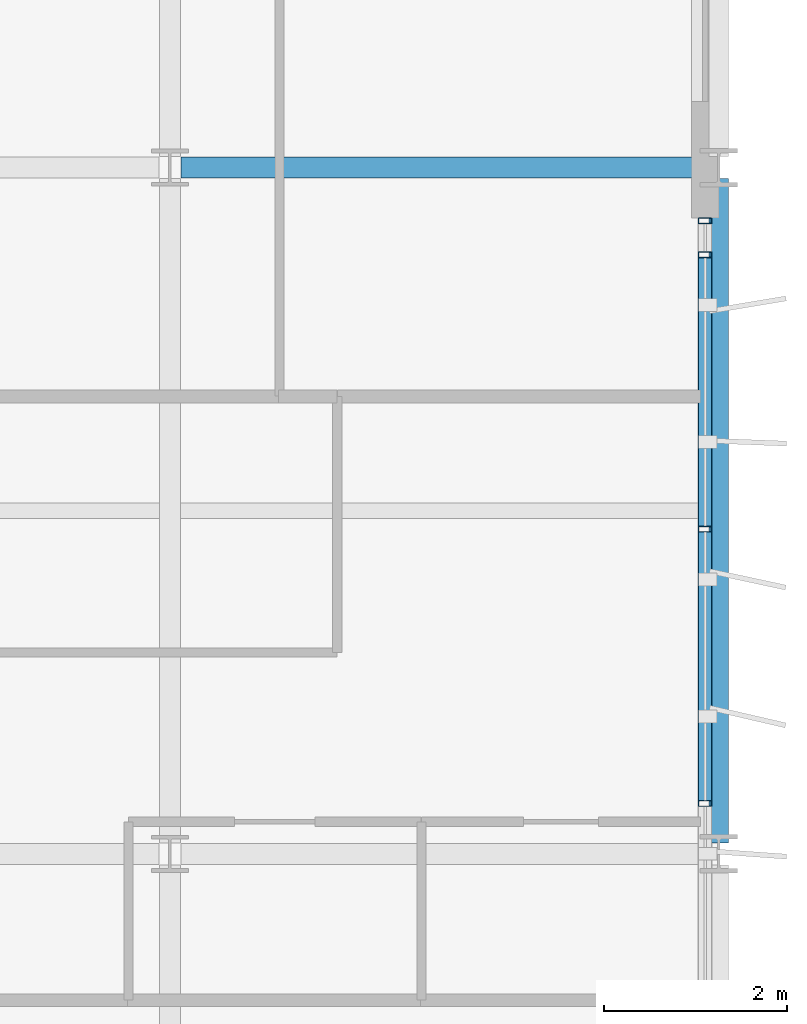
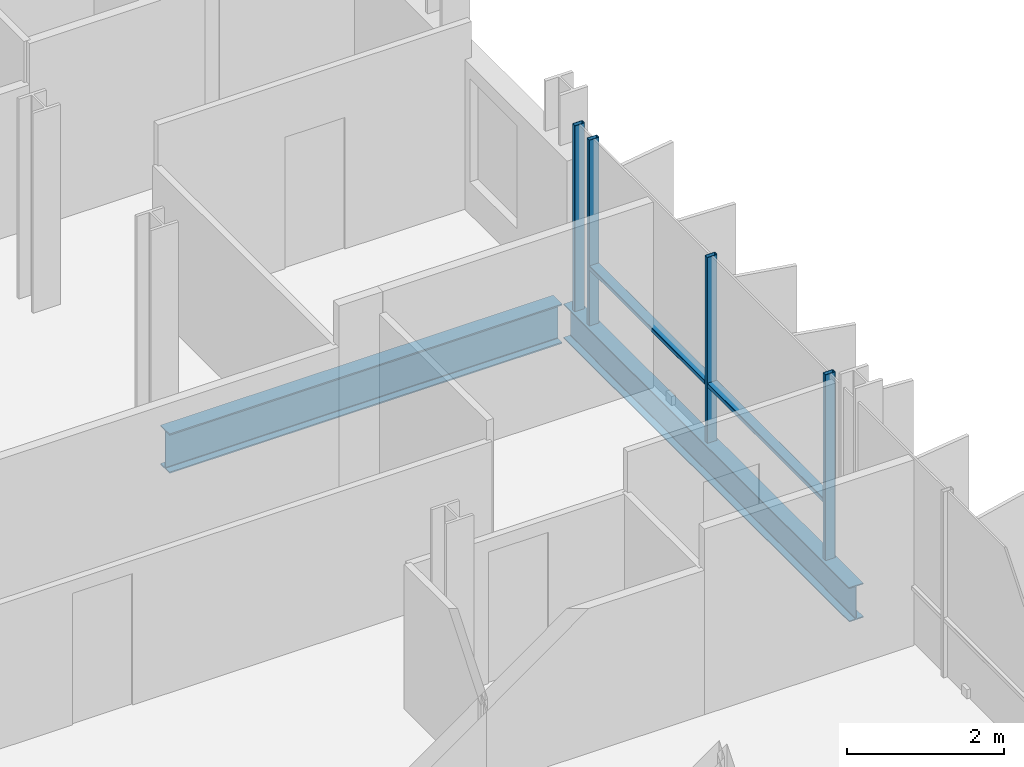
# One storey, part 21 of 39: 6 members, 2 beams, 1 element without a shape of its own.
"""IFC4 building model written with IfcOpenShell, lengths in metres."""

from ifc_helpers import new_model, si_unit, direction, frame, origin, origin_2d, place, context, subcontext, project, spatial, hollow_rectangle, i_section, extrude, material, layer, layer_set, material_profile, profile_set, type_object, element, aggregate, save


model = new_model("IFC4")

# Units and contexts
model_context = context("Model", 3, precision=1e-05, world=origin(), true_north=direction((0.0, 1.0)))
body_context = subcontext(model_context, "Body", "Model", "MODEL_VIEW")
ifc_project = project(units=[si_unit("LENGTHUNIT", "METRE"), si_unit("AREAUNIT", "SQUARE_METRE"), si_unit("VOLUMEUNIT", "CUBIC_METRE"), si_unit("PLANEANGLEUNIT", "RADIAN"), si_unit("MASSUNIT", "GRAM", prefix="KILO")], contexts=[model_context])

# Site, building, storey
site_placement = place(None, origin())
site = spatial("IfcSite", under=ifc_project, at=site_placement, CompositionType="ELEMENT")
building_placement = place(site_placement, origin())
building = spatial("IfcBuilding", under=site, at=building_placement, Name="Brevholm Reach", CompositionType="ELEMENT")
storey_placement = place(building_placement, frame((0.0, 0.0, 154.199951171875)))
storey = spatial("IfcBuildingStorey", under=building, at=storey_placement, Name="L46", CompositionType="ELEMENT", Elevation=154.199951171875)

# Beams
ifc_material_1 = material(Name="Structural Steel S355J2", Category="steel")
ifc_material_profile_1 = material_profile(ifc_material_1, i_section(OverallWidth=0.209228515625, OverallDepth=0.533203125, WebThickness=0.010009765625, FlangeThickness=0.015625, FilletRadius=0.0126953125, at=origin_2d()), Name="UKB 533x210x92")
ifc_profile_set_1 = profile_set([ifc_material_profile_1], Name="Structural Steel S355J2")
beam_type_1 = type_object("IfcBeamType", Name="BM-SP533", PredefinedType="SPANDREL", material=ifc_profile_set_1)
beam_1_placement = place(storey_placement, frame((60.0, 16.1201171875, -0.486572265625), z_axis=(0.0, 1.0, 0.0), x_axis=(-1.0, 0.0, 0.0)))
element("IfcBeam", 1, at=beam_1_placement, inside=storey, type_object=beam_type_1, Name="L46 SP-02 Framing Beam", PredefinedType="SPANDREL", context=body_context, shape_type="SweptSolid", body=[
    extrude(i_section(OverallWidth=0.209228515625, OverallDepth=0.533203125, WebThickness=0.010009765625, FlangeThickness=0.015625, FilletRadius=0.0126953125, at=origin_2d()), origin(), (0.0, 0.0, 1.0), 7.259765625),
])
ifc_material_2 = material(Name="Structural Steel S355J2", Category="steel")
ifc_material_profile_2 = material_profile(ifc_material_2, i_section(OverallWidth=0.22900390625, OverallDepth=0.6123046875, WebThickness=0.011962890625, FlangeThickness=0.01953125, FilletRadius=0.0126953125, at=origin_2d()), Name="UKB 610x229x125")
ifc_profile_set_2 = profile_set([ifc_material_profile_2], Name="Structural Steel S355J2")
beam_type_2 = type_object("IfcBeamType", Name="BM-SP610", PredefinedType="SPANDREL", material=ifc_profile_set_2)
beam_2_placement = place(storey_placement, frame((54.1201171875, 23.5, -0.526123046875), z_axis=(1.0, 0.0, 0.0), x_axis=(0.0, 1.0, 0.0)))
element("IfcBeam", 2, at=beam_2_placement, inside=storey, type_object=beam_type_2, Name="L46 SP-01 Framing Beam", PredefinedType="SPANDREL", context=body_context, shape_type="SweptSolid", body=[
    extrude(i_section(OverallWidth=0.22900390625, OverallDepth=0.6123046875, WebThickness=0.011962890625, FlangeThickness=0.01953125, FilletRadius=0.0126953125, at=origin_2d()), origin(), (0.0, 0.0, 1.0), 5.759765625),
])

# Curtain wall, members
ifc_material_3 = material(Name="Dark Anodised Aluminium 6063-T6 and Solar-Control Glass", Category="aluminium")
ifc_layer = layer(ifc_material_3, 0.14990234375)
ifc_layer_set = layer_set([ifc_layer], Name="Dark Anodised Aluminium 6063-T6 and Solar-Control Glass")
curtain_wall_type = type_object("IfcCurtainWallType", Name="CW-01", PredefinedType="NOTDEFINED", material=ifc_layer_set)
curtain_wall_placement = place(storey_placement, origin())
curtain_wall = element("IfcCurtainWall", 3, at=curtain_wall_placement, inside=storey, type_object=curtain_wall_type, Name="L46 Curtain Wall CW-01", PredefinedType="NOTDEFINED")
ifc_material_4 = material(Name="Dark Anodised Aluminium 6063-T6", Category="aluminium")
ifc_material_profile_3 = material_profile(ifc_material_4, hollow_rectangle(XDim=0.06494140625, YDim=0.14990234375, WallThickness=0.0048828125, InnerFilletRadius=0.0048828125, OuterFilletRadius=0.010009765625, at=origin_2d()), Name="RHS 150x65x5")
ifc_profile_set_3 = profile_set([ifc_material_profile_3], Name="Dark Anodised Aluminium 6063-T6")
member_type_1 = type_object("IfcMemberType", Name="CWM-150", PredefinedType="MULLION", material=ifc_profile_set_3)
member_1_placement = place(storey_placement, frame((59.85009765625, 16.550048828125, 0.0), z_axis=(0.0, 0.0, 1.0), x_axis=(0.0, 1.0, 0.0)))
member_1 = element("IfcMember", 4, at=member_1_placement, type_object=member_type_1, Name="CM-150 Mullion 3", PredefinedType="MULLION", context=body_context, shape_type="SweptSolid", body=[
    extrude(hollow_rectangle(XDim=0.06494140625, YDim=0.14990234375, WallThickness=0.0048828125, InnerFilletRadius=0.0048828125, OuterFilletRadius=0.010009765625, at=origin_2d()), origin(), (0.0, 0.0, 1.0), 2.880126953125),
])
member_2_placement = place(storey_placement, frame((59.85009765625, 19.550048828125, 0.0), z_axis=(0.0, 0.0, 1.0), x_axis=(0.0, 1.0, 0.0)))
member_2 = element("IfcMember", 5, at=member_2_placement, type_object=member_type_1, Name="CM-150 Mullion 4", PredefinedType="MULLION", context=body_context, shape_type="SweptSolid", body=[
    extrude(hollow_rectangle(XDim=0.06494140625, YDim=0.14990234375, WallThickness=0.0048828125, InnerFilletRadius=0.0048828125, OuterFilletRadius=0.010009765625, at=origin_2d()), origin(), (0.0, 0.0, 1.0), 2.880126953125),
])
member_3_placement = place(storey_placement, frame((59.85009765625, 22.550048828125, 0.0), z_axis=(0.0, 0.0, 1.0), x_axis=(0.0, 1.0, 0.0)))
member_3 = element("IfcMember", 6, at=member_3_placement, type_object=member_type_1, Name="CM-150 Mullion 5", PredefinedType="MULLION", context=body_context, shape_type="SweptSolid", body=[
    extrude(hollow_rectangle(XDim=0.06494140625, YDim=0.14990234375, WallThickness=0.0048828125, InnerFilletRadius=0.0048828125, OuterFilletRadius=0.010009765625, at=origin_2d()), origin(), (0.0, 0.0, 1.0), 2.880126953125),
])
member_4_placement = place(storey_placement, frame((59.85009765625, 22.91748046875, 0.0), z_axis=(0.0, 0.0, 1.0), x_axis=(0.0, 1.0, 0.0)))
member_4 = element("IfcMember", 7, at=member_4_placement, type_object=member_type_1, Name="CM-150 Mullion 6", PredefinedType="MULLION", context=body_context, shape_type="SweptSolid", body=[
    extrude(hollow_rectangle(XDim=0.06494140625, YDim=0.14990234375, WallThickness=0.0048828125, InnerFilletRadius=0.0048828125, OuterFilletRadius=0.010009765625, at=origin_2d()), origin(), (0.0, 0.0, 1.0), 2.880126953125),
])
ifc_material_5 = material(Name="Dark Anodised Aluminium 6063-T6", Category="aluminium")
ifc_material_profile_4 = material_profile(ifc_material_5, hollow_rectangle(XDim=0.06494140625, YDim=0.14990234375, WallThickness=0.0048828125, InnerFilletRadius=0.0048828125, OuterFilletRadius=0.010009765625, at=origin_2d()), Name="RHS 150x65x5")
ifc_profile_set_4 = profile_set([ifc_material_profile_4], Name="Dark Anodised Aluminium 6063-T6")
member_type_2 = type_object("IfcMemberType", Name="CWT-150", PredefinedType="NOTDEFINED", material=ifc_profile_set_4)
member_5_placement = place(storey_placement, frame((59.85009765625, 16.58251953125, 0.900146484375), z_axis=(0.0, 1.0, 0.0), x_axis=(0.0, 0.0, 1.0)))
member_5 = element("IfcMember", 8, at=member_5_placement, type_object=member_type_2, Name="CT-150 Transom 3.1", ObjectType="TRANSOM", PredefinedType="USERDEFINED", context=body_context, shape_type="SweptSolid", body=[
    extrude(hollow_rectangle(XDim=0.06494140625, YDim=0.14990234375, WallThickness=0.0048828125, InnerFilletRadius=0.0048828125, OuterFilletRadius=0.010009765625, at=origin_2d()), origin(), (0.0, 0.0, 1.0), 2.93505859375),
])
member_6_placement = place(storey_placement, frame((59.85009765625, 19.58251953125, 0.900146484375), z_axis=(0.0, 1.0, 0.0), x_axis=(0.0, 0.0, 1.0)))
member_6 = element("IfcMember", 9, at=member_6_placement, type_object=member_type_2, Name="CT-150 Transom 4.1", ObjectType="TRANSOM", PredefinedType="USERDEFINED", context=body_context, shape_type="SweptSolid", body=[
    extrude(hollow_rectangle(XDim=0.06494140625, YDim=0.14990234375, WallThickness=0.0048828125, InnerFilletRadius=0.0048828125, OuterFilletRadius=0.010009765625, at=origin_2d()), origin(), (0.0, 0.0, 1.0), 2.93505859375),
])
aggregate(curtain_wall, [member_1, member_2, member_3, member_4, member_5, member_6])

save(model, "model.ifc")
